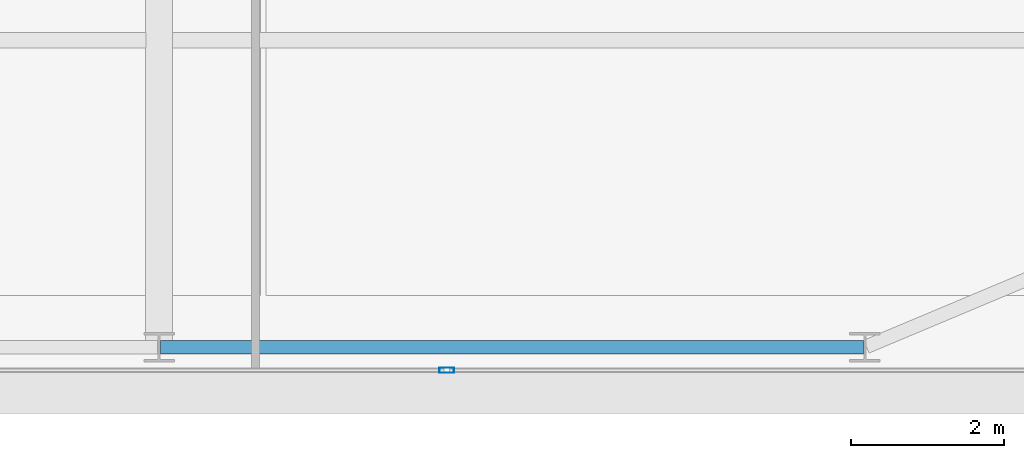
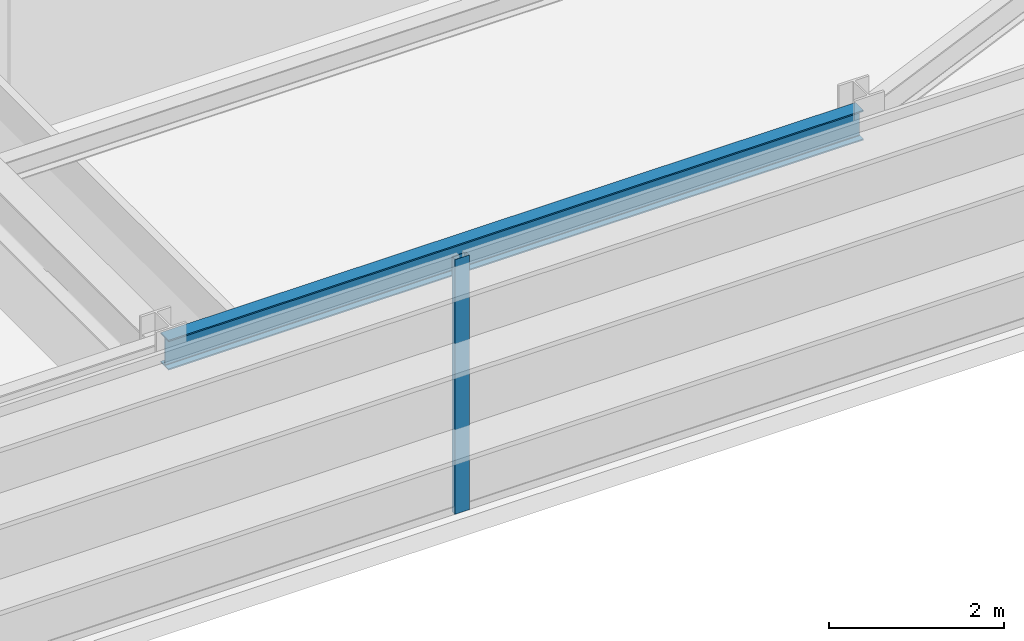
# One storey, part 12 of 30: 1 beam, 1 member, 1 element without a shape of its own.
"""IFC4 building model written with IfcOpenShell, lengths in metres."""

from ifc_helpers import new_model, si_unit, direction, frame, origin, origin_2d, place, context, subcontext, project, spatial, hollow_rectangle, i_section, extrude, source, transform, mapped, material, layer, layer_set, material_profile, profile_set, type_object, type_shapes, element, aggregate, save


model = new_model("IFC4")

# Units and contexts
model_context = context("Model", 3, precision=1e-05, world=origin(), true_north=direction((0.0, 1.0)))
body_context = subcontext(model_context, "Body", "Model", "MODEL_VIEW")
ifc_project = project(units=[si_unit("LENGTHUNIT", "METRE"), si_unit("AREAUNIT", "SQUARE_METRE"), si_unit("VOLUMEUNIT", "CUBIC_METRE"), si_unit("PLANEANGLEUNIT", "RADIAN"), si_unit("MASSUNIT", "GRAM", prefix="KILO")], contexts=[model_context])

# Site, building, storey
site_placement = place(None, origin())
site = spatial("IfcSite", under=ifc_project, at=site_placement, CompositionType="ELEMENT")
building_placement = place(site_placement, origin())
building = spatial("IfcBuilding", under=site, at=building_placement, Name="Varnel Quay Broadcast Tower", CompositionType="ELEMENT")
storey_placement = place(building_placement, frame((0.0, 0.0, 122.0)))
storey = spatial("IfcBuildingStorey", under=building, at=storey_placement, Name="L29", CompositionType="ELEMENT", Elevation=122.0)

# Beam
ifc_material_1 = material(Name="Structural Steel CSA G40.21 350W", Category="steel")
ifc_material_profile_1 = material_profile(ifc_material_1, i_section(OverallWidth=0.180908203125, OverallDepth=0.4169921875, WebThickness=0.010986328125, FlangeThickness=0.018310546875, FilletRadius=0.011962890625, at=origin_2d()), Name="W410X85")
ifc_profile_set_1 = profile_set([ifc_material_profile_1], Name="Structural Steel CSA G40.21 350W")
beam_type = type_object("IfcBeamType", Name="Beam_W410X85", PredefinedType="SPANDREL", material=ifc_profile_set_1)
shared_shape_1 = source(origin(), body_context, "Body", "SweptSolid", [
    extrude(i_section(OverallWidth=0.180908203125, OverallDepth=0.4169921875, WebThickness=0.010986328125, FlangeThickness=0.018310546875, FilletRadius=0.011962890625, at=origin_2d()), origin(), (0.0, 0.0, 1.0), 9.159912109375),
])
type_shapes(beam_type, [shared_shape_1])
beam_placement = place(storey_placement, frame((43.219970703125, 4.64990234375, 3.341552734375), z_axis=(1.0, 0.0, 0.0), x_axis=(0.0, 1.0, 0.0)))
element("IfcBeam", 1, at=beam_placement, inside=storey, type_object=beam_type, Name="L29 South Spandrel TC-S4-TC-S5", PredefinedType="SPANDREL", context=body_context, shape_type="MappedRepresentation", body=[
    mapped(shared_shape_1, transform((0.0, 0.0, 0.0), x_axis=(1.0, 0.0, 0.0), y_axis=(0.0, 1.0, 0.0), z_axis=(0.0, 0.0, 1.0), scale=1.0)),
])

# Curtain wall, member
ifc_material_2 = material(Name="Anodised Bronze Aluminium 6063-T6", Category="aluminium")
ifc_layer = layer(ifc_material_2, 0.18994140625, Name="Anodised Bronze Aluminium 6063-T6")
ifc_layer_set = layer_set([ifc_layer], Name="Anodised Bronze Aluminium 6063-T6")
curtain_wall_type = type_object("IfcCurtainWallType", Name="CW_LowerTower", PredefinedType="NOTDEFINED", material=ifc_layer_set)
curtain_wall_placement = place(storey_placement, origin())
curtain_wall = element("IfcCurtainWall", 2, at=curtain_wall_placement, inside=storey, type_object=curtain_wall_type, Name="L29 South Unitised Curtain Wall 1", PredefinedType="NOTDEFINED")
ifc_material_profile_2 = material_profile(ifc_material_2, hollow_rectangle(XDim=0.070068359375, YDim=0.18994140625, WallThickness=0.00390625, at=origin_2d()), Name="ALU70X190X4")
ifc_profile_set_2 = profile_set([ifc_material_profile_2], Name="Anodised Bronze Aluminium 6063-T6")
member_type = type_object("IfcMemberType", Name="Mull_CWS-02", PredefinedType="MULLION", material=ifc_profile_set_2)
shared_shape_2 = source(origin(), body_context, "Body", "SweptSolid", [
    extrude(hollow_rectangle(XDim=0.070068359375, YDim=0.18994140625, WallThickness=0.00390625, at=origin_2d()), origin(), (0.0, 0.0, 1.0), 3.550048828125),
])
type_shapes(member_type, [shared_shape_2])
member_placement = place(storey_placement, frame((46.949951171875, 4.35009765625, 0.0), z_axis=(0.0, 0.0, 1.0), x_axis=(0.0, 1.0, 0.0)))
member = element("IfcMember", 3, at=member_placement, type_object=member_type, Name="CWS-02 mullion 4", PredefinedType="MULLION", context=body_context, shape_type="MappedRepresentation", body=[
    mapped(shared_shape_2, transform((0.0, 0.0, 0.0), x_axis=(1.0, 0.0, 0.0), y_axis=(0.0, 1.0, 0.0), z_axis=(0.0, 0.0, 1.0), scale=1.0)),
])
aggregate(curtain_wall, [member])

save(model, "model.ifc")
